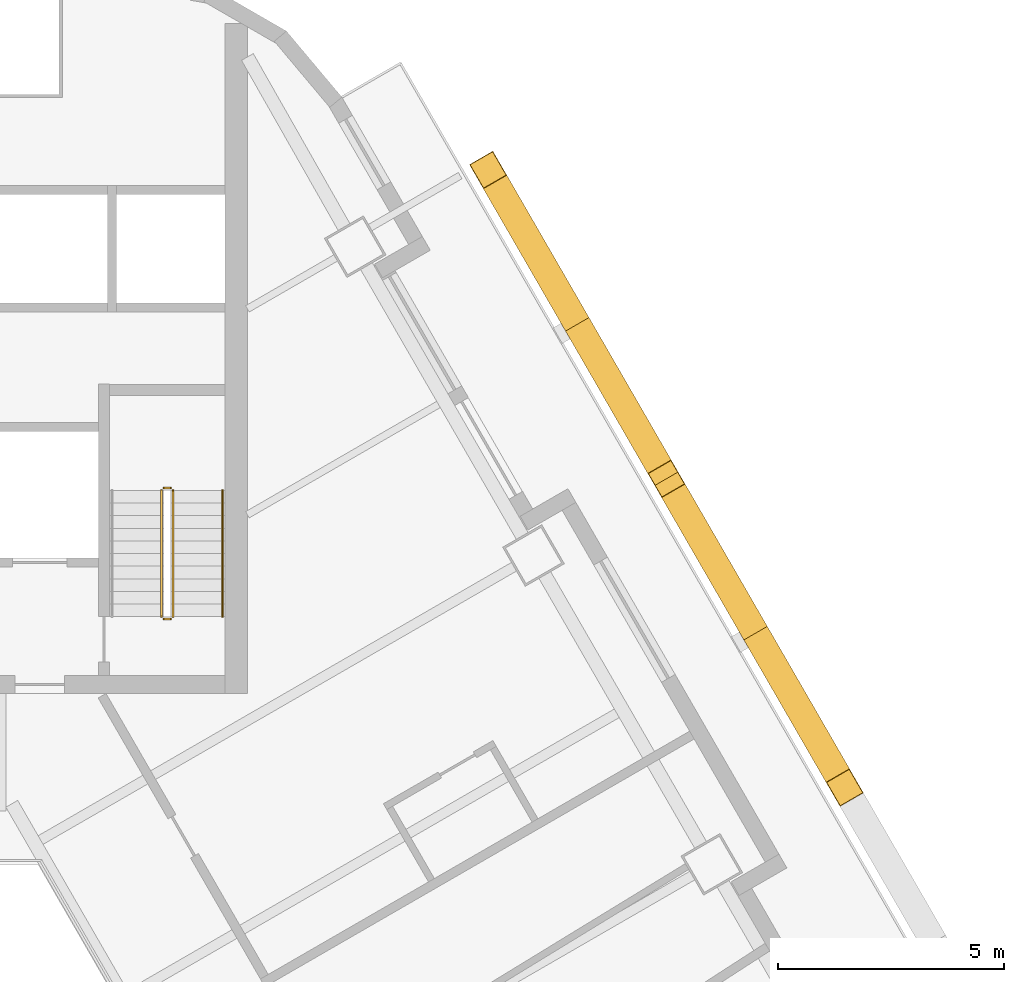
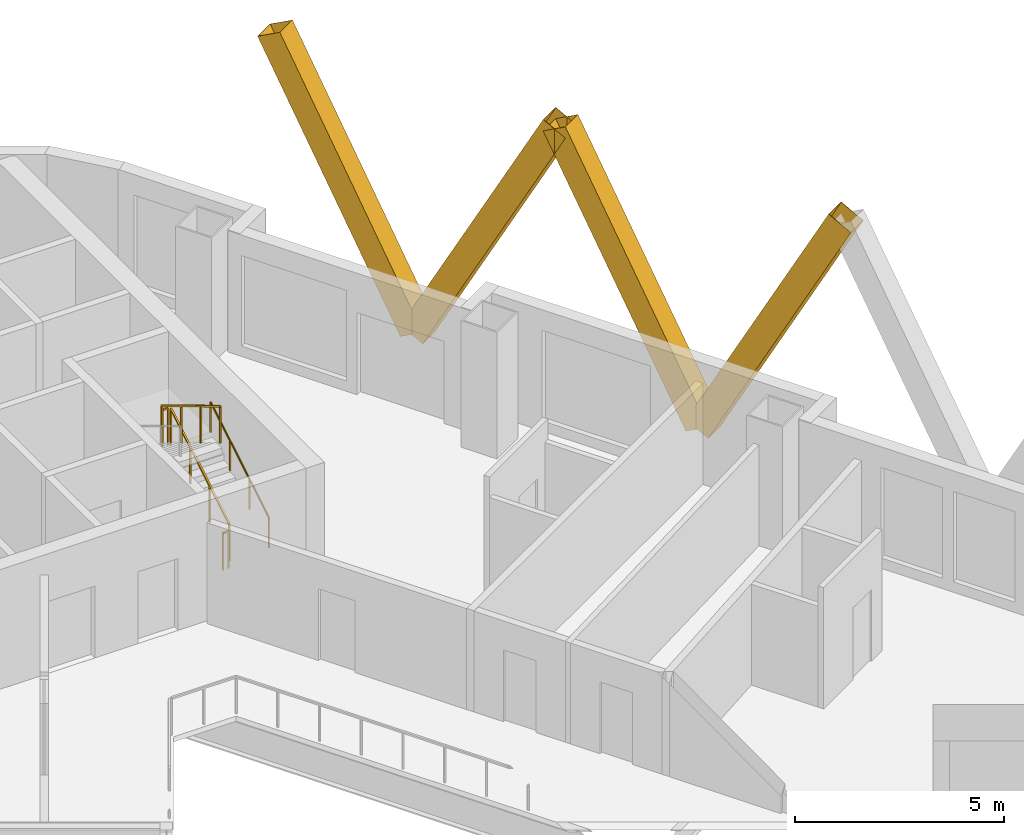
# One storey, part 13 of 13: 5 railings, 4 shading devices.
"""IFC4 building model written with IfcOpenShell, lengths in metres."""

from ifc_helpers import new_model, si_unit, direction, frame, origin, origin_2d, place, context, subcontext, project, spatial, rectangle, hollow_rectangle, circle, extrude, material, material_profile, profile_set, type_object, element, save


model = new_model("IFC4")

# Units and contexts
model_context = context("Model", 3, precision=1e-05, world=origin(), true_north=direction((0.0, 1.0)))
body_context = subcontext(model_context, "Body", "Model", "MODEL_VIEW")
ifc_project = project(units=[si_unit("LENGTHUNIT", "METRE"), si_unit("AREAUNIT", "SQUARE_METRE"), si_unit("VOLUMEUNIT", "CUBIC_METRE"), si_unit("PLANEANGLEUNIT", "RADIAN"), si_unit("MASSUNIT", "GRAM", prefix="KILO")], contexts=[model_context])

# Site, building, storey
site_placement = place(None, origin())
site = spatial("IfcSite", under=ifc_project, at=site_placement, CompositionType="ELEMENT")
building_placement = place(site_placement, origin())
building = spatial("IfcBuilding", under=site, at=building_placement, Name="Apuvela Tower Hotel", CompositionType="ELEMENT")
storey_placement = place(building_placement, frame((0.0, 0.0, 68.699951171875)))
storey = spatial("IfcBuildingStorey", under=building, at=storey_placement, Name="L14", CompositionType="ELEMENT", Elevation=68.699951171875)

# Railings
ifc_material_1 = material(Name="Steel S275 balustrade", Category="steel")
railing_type_1 = type_object("IfcRailingType", Name="COR-GUARD-1100", PredefinedType="GUARDRAIL", material=ifc_material_1)
railing_1_placement = place(storey_placement, frame((3.85009765625, 14.60009765625, 0.168212890625)))
element("IfcRailing", 1, at=railing_1_placement, inside=storey, type_object=railing_type_1, Name="L14 ST1 stair guard 1", PredefinedType="GUARDRAIL", context=body_context, shape_type="SweptSolid", body=[
    extrude(rectangle(XDim=0.048095703125, YDim=0.048095703125, at=origin_2d()), frame((0.0, 0.0, 1.076171875), z_axis=(0.0, 0.857222391501, 0.514946377315), x_axis=(-1.0, 0.0, 0.0)), (0.0, 0.0, 1.0), 3.26611328125),
    extrude(rectangle(XDim=0.0419921875, YDim=0.0419921875, at=origin_2d()), origin(), (0.0, 0.0, 1.0), 1.052001953125),
    extrude(rectangle(XDim=0.0419921875, YDim=0.0419921875, at=origin_2d()), frame((0.0, 0.933349609375, 0.560546875)), (0.0, 0.0, 1.0), 1.052001953125),
    extrude(rectangle(XDim=0.0419921875, YDim=0.0419921875, at=origin_2d()), frame((0.0, 1.866455078125, 1.121337890625)), (0.0, 0.0, 1.0), 1.052001953125),
    extrude(rectangle(XDim=0.0419921875, YDim=0.0419921875, at=origin_2d()), frame((0.0, 2.7998046875, 1.681884765625)), (0.0, 0.0, 1.0), 1.052001953125),
])
railing_2_placement = place(storey_placement, frame((3.800048828125, 17.449951171875, 1.85009765625)))
element("IfcRailing", 2, at=railing_2_placement, inside=storey, type_object=railing_type_1, Name="L14 ST1 stair guard 2", PredefinedType="GUARDRAIL", context=body_context, shape_type="SweptSolid", body=[
    extrude(rectangle(XDim=0.048095703125, YDim=0.048095703125, at=origin_2d()), frame((0.0, 0.0, 1.076171875), z_axis=(-1.0, 0.0, 0.0), x_axis=(0.0, -1.0, 0.0)), (0.0, 0.0, 1.0), 0.150146484375),
    extrude(rectangle(XDim=0.0419921875, YDim=0.0419921875, at=origin_2d()), origin(), (0.0, 0.0, 1.0), 1.052001953125),
    extrude(rectangle(XDim=0.0419921875, YDim=0.0419921875, at=origin_2d()), frame((-0.150146484375, 0.0, 0.0)), (0.0, 0.0, 1.0), 1.052001953125),
])
railing_3_placement = place(storey_placement, frame((3.60009765625, 17.39990234375, 2.018310546875)))
element("IfcRailing", 3, at=railing_3_placement, inside=storey, type_object=railing_type_1, Name="L14 ST1 stair guard 3", PredefinedType="GUARDRAIL", context=body_context, shape_type="SweptSolid", body=[
    extrude(rectangle(XDim=0.048095703125, YDim=0.048095703125, at=origin_2d()), frame((0.0, 0.0, 1.076171875), z_axis=(0.0, -0.857255387014, 0.514891446264), x_axis=(1.0, 0.0, 0.0)), (0.0, 0.0, 1.0), 3.26611328125),
    extrude(rectangle(XDim=0.0419921875, YDim=0.0419921875, at=origin_2d()), origin(), (0.0, 0.0, 1.0), 1.052001953125),
    extrude(rectangle(XDim=0.0419921875, YDim=0.0419921875, at=origin_2d()), frame((0.0, -0.933349609375, 0.560546875)), (0.0, 0.0, 1.0), 1.052001953125),
    extrude(rectangle(XDim=0.0419921875, YDim=0.0419921875, at=origin_2d()), frame((0.0, -1.866455078125, 1.12109375)), (0.0, 0.0, 1.0), 1.052001953125),
    extrude(rectangle(XDim=0.0419921875, YDim=0.0419921875, at=origin_2d()), frame((0.0, -2.7998046875, 1.681640625)), (0.0, 0.0, 1.0), 1.052001953125),
])
railing_4_placement = place(storey_placement, frame((3.800048828125, 14.550048828125, 0.0)))
element("IfcRailing", 4, at=railing_4_placement, inside=storey, type_object=railing_type_1, Name="L14 ST1 stair guard 4", PredefinedType="GUARDRAIL", context=body_context, shape_type="SweptSolid", body=[
    extrude(rectangle(XDim=0.048095703125, YDim=0.048095703125, at=origin_2d()), frame((0.0, 0.0, 1.076171875), z_axis=(-1.0, 0.0, 0.0), x_axis=(0.0, -1.0, 0.0)), (0.0, 0.0, 1.0), 0.150146484375),
    extrude(rectangle(XDim=0.0419921875, YDim=0.0419921875, at=origin_2d()), origin(), (0.0, 0.0, 1.0), 1.052001953125),
    extrude(rectangle(XDim=0.0419921875, YDim=0.0419921875, at=origin_2d()), frame((-0.150146484375, 0.0, 0.0)), (0.0, 0.0, 1.0), 1.052001953125),
])
ifc_material_2 = material(Name="Stainless steel 316 handrail", Category="steel")
railing_type_2 = type_object("IfcRailingType", Name="COR-HANDRAIL-900", PredefinedType="HANDRAIL", material=ifc_material_2)
railing_5_placement = place(storey_placement, frame((4.949951171875, 14.60009765625, 0.168212890625)))
element("IfcRailing", 5, at=railing_5_placement, inside=storey, type_object=railing_type_2, Name="L14 ST1 stair handrail 1", PredefinedType="HANDRAIL", context=body_context, shape_type="SweptSolid", body=[
    extrude(circle(Radius=0.02392578125, at=origin_2d()), frame((0.0, 0.0, 0.8759765625), z_axis=(0.0, 0.857222391501, 0.514946377315), x_axis=(-1.0, 0.0, 0.0)), (0.0, 0.0, 1.0), 3.26611328125),
    extrude(rectangle(XDim=0.0419921875, YDim=0.0419921875, at=origin_2d()), origin(), (0.0, 0.0, 1.0), 0.851806640625),
    extrude(rectangle(XDim=0.0419921875, YDim=0.0419921875, at=origin_2d()), frame((0.0, 0.933349609375, 0.560546875)), (0.0, 0.0, 1.0), 0.851806640625),
    extrude(rectangle(XDim=0.0419921875, YDim=0.0419921875, at=origin_2d()), frame((0.0, 1.866455078125, 1.121337890625)), (0.0, 0.0, 1.0), 0.851806640625),
    extrude(rectangle(XDim=0.0419921875, YDim=0.0419921875, at=origin_2d()), frame((0.0, 2.7998046875, 1.681884765625)), (0.0, 0.0, 1.0), 0.851806640625),
])

# Shading devices
ifc_material_3 = material(Name="Aluminium 6063-T6, black anodised", Category="aluminium")
ifc_material_profile = material_profile(ifc_material_3, hollow_rectangle(XDim=0.60009765625, YDim=0.699951171875, WallThickness=0.011962890625, at=origin_2d()), Name="AL BOX 700x600x12")
ifc_profile_set = profile_set([ifc_material_profile], Name="Aluminium 6063-T6, black anodised")
shading_device_type = type_object("IfcShadingDeviceType", Name="ENV-FIN-700x600", PredefinedType="USERDEFINED", material=ifc_profile_set)
for number, where, z_axis, x_axis, name in (
    (6, (16.757080078125, 14.23583984375, -0.099853515625), (0.235461085354, -0.407822092458, 0.882178677019), (0.866020906874, 0.500007788796, 0.0), "Lattice fin NE77"),
    (7, (16.757080078125, 14.23583984375, -0.099853515625), (-0.235463880167, 0.407797827568, 0.882189148067), (-0.866005453737, -0.500034552904, 0.0), "Lattice fin NE78"),
    (8, (12.80712890625, 21.077392578125, -0.099853515625), (0.235433593518, -0.407824887177, 0.882184722404), (0.866047669374, 0.499961432884, 0.0), "Lattice fin NE79"),
    (9, (12.80712890625, 21.077392578125, -0.099853515625), (-0.235461085354, 0.407822092458, 0.882178677019), (-0.866020906874, -0.500007788796, 0.0), "Lattice fin NE80"),
):
    element("IfcShadingDevice", number, at=place(storey_placement, frame(where, z_axis=z_axis, x_axis=x_axis)), inside=storey, type_object=shading_device_type, Name=name, ObjectType="FIN", PredefinedType="USERDEFINED", context=body_context, shape_type="SweptSolid", body=[
        extrude(hollow_rectangle(XDim=0.60009765625, YDim=0.699951171875, WallThickness=0.011962890625, at=origin_2d()), origin(), (0.0, 0.0, 1.0), 8.38818359375),
    ])

save(model, "model.ifc")
